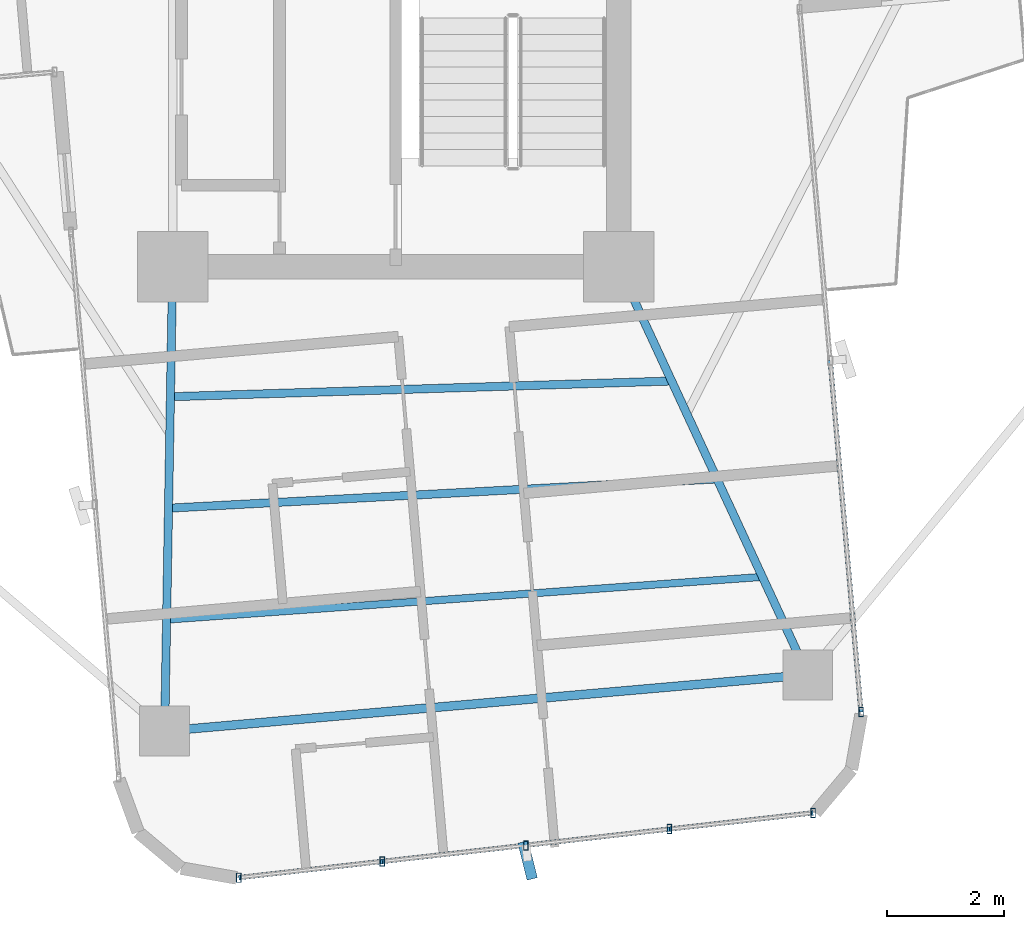
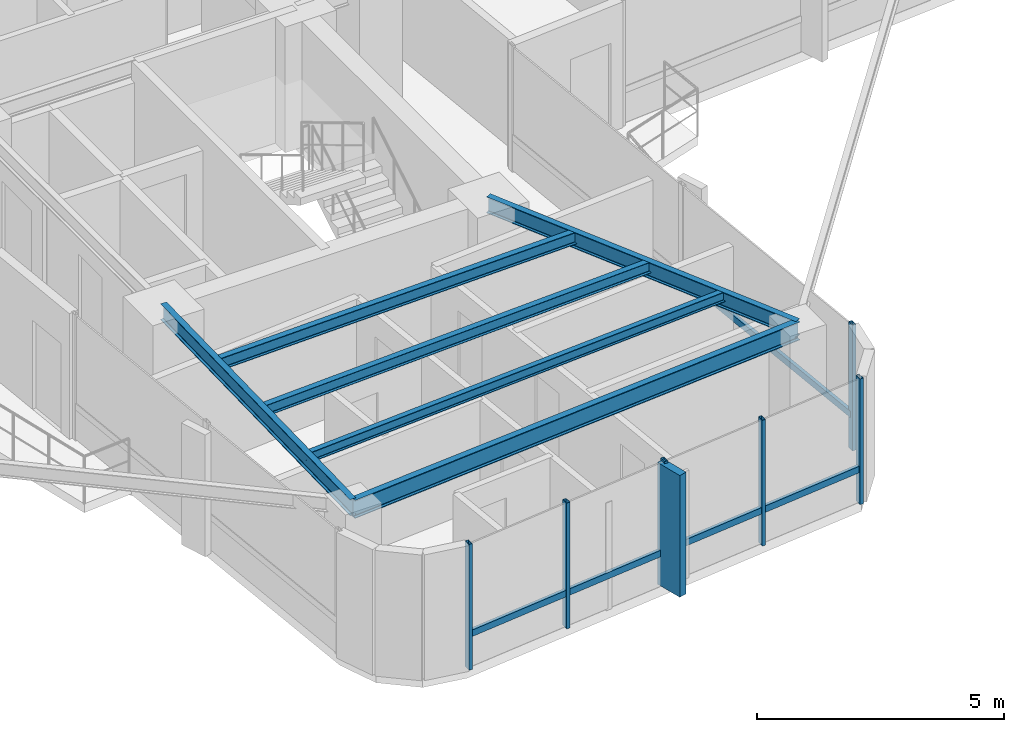
# One storey, part 6 of 24: 12 members, 6 beams, 2 elements without a shape of their own.
"""IFC4 building model written with IfcOpenShell, lengths in metres."""

import ifcopenshell
import ifcopenshell.guid

model = None  # the IFC model being written
_history = None  # IfcOwnerHistory: only IFC2X3 demands one
_inside = {}  # id of a spatial element -> (the spatial element, [elements in it])
_under = {}  # id of a project, library or spatial element -> (it, [spatial elements below it])
_declared = {}  # id of a project -> (the project, [libraries it declares])
_typed = {}  # id of a type object -> (the type object, [elements of that type])
_made_of = {}  # id of a material, layer set ... -> (it, [elements and type objects made of it])


def new_model(schema):
    """Start an empty IFC model of exactly this schema.

    Asked for "IFC4X3", IfcOpenShell would pick the latest addendum, in which some entities
    have other attributes; the version numbers below select the first issue.
    IFC2X3 requires an IfcOwnerHistory on every rooted entity: one is made here for all.
    """
    global model, _history
    if schema == "IFC4X3":
        model = ifcopenshell.file(schema_version=(4, 3, 0, 0))
    else:
        model = ifcopenshell.file(schema=schema)
    _inside.clear()
    _under.clear()
    _declared.clear()
    _typed.clear()
    _made_of.clear()
    _history = None
    if model.schema == "IFC2X3":
        org = make("IfcOrganization", Name="unknown")
        user = make(
            "IfcPersonAndOrganization",
            ThePerson=make("IfcPerson", FamilyName="unknown"),
            TheOrganization=org,
        )
        app = make(
            "IfcApplication",
            ApplicationDeveloper=org,
            Version="unknown",
            ApplicationFullName="unknown",
            ApplicationIdentifier="unknown",
        )
        _history = make(
            "IfcOwnerHistory",
            OwningUser=user,
            OwningApplication=app,
            ChangeAction="ADDED",
            CreationDate=0,
        )
    return model


def make(cls, **values):
    """One entity of the class cls with the attributes given. An attribute that is None is left unset."""
    return model.create_entity(
        cls, **{name: value for name, value in values.items() if value is not None}
    )


def rooted(cls, **values):
    """An entity with a GlobalId (a new one), such as an element, a storey or a relation."""
    return make(cls, GlobalId=ifcopenshell.guid.new(), OwnerHistory=_history, **values)


def si_unit(unit_type, name, prefix=None):
    """IfcSIUnit, for example si_unit("LENGTHUNIT", "METRE", prefix="MILLI")."""
    return make("IfcSIUnit", UnitType=unit_type, Prefix=prefix, Name=name)


def assignment(units):
    """IfcUnitAssignment: the units of a project."""
    return None if units is None else make("IfcUnitAssignment", Units=units)


def point(xyz):
    """IfcCartesianPoint."""
    return None if xyz is None else make("IfcCartesianPoint", Coordinates=xyz)


def direction(xyz):
    """IfcDirection."""
    return None if xyz is None else make("IfcDirection", DirectionRatios=xyz)


def frame(location, z_axis=None, x_axis=None):
    """IfcAxis2Placement3D, a coordinate frame: its origin and axes. An axis left out is left unset."""
    return make(
        "IfcAxis2Placement3D",
        Location=point(location),
        Axis=direction(z_axis),
        RefDirection=direction(x_axis),
    )


def frame_2d(location, x_axis=None):
    """IfcAxis2Placement2D, a coordinate frame in the plane: its origin and x axis."""
    return make(
        "IfcAxis2Placement2D", Location=point(location), RefDirection=direction(x_axis)
    )


def origin():
    """The frame at (0, 0, 0) with its axes left unset."""
    return frame((0.0, 0.0, 0.0))


def origin_2d():
    """The frame at (0, 0) in the plane with its x axis left unset."""
    return frame_2d((0.0, 0.0))


def place(relative_to, where):
    """IfcLocalPlacement: puts the frame where relative to a parent placement (None: the world)."""
    return make(
        "IfcLocalPlacement", PlacementRelTo=relative_to, RelativePlacement=where
    )


def context(
    kind, dimensions, precision=None, world=None, true_north=None, identifier=None
):
    """IfcGeometricRepresentationContext, for example the 3D "Model" context."""
    return make(
        "IfcGeometricRepresentationContext",
        ContextIdentifier=identifier,
        ContextType=kind,
        CoordinateSpaceDimension=dimensions,
        Precision=precision,
        WorldCoordinateSystem=world,
        TrueNorth=true_north,
    )


def subcontext(parent, identifier, kind, view, scale=None):
    """IfcGeometricRepresentationSubContext, for example "Body" below "Model"."""
    return make(
        "IfcGeometricRepresentationSubContext",
        ContextIdentifier=identifier,
        ContextType=kind,
        ParentContext=parent,
        TargetScale=scale,
        TargetView=view,
    )


def project(units=None, contexts=None):
    """IfcProject with its units and contexts."""
    return rooted(
        "IfcProject",
        Name="project",
        RepresentationContexts=contexts,
        UnitsInContext=assignment(units),
    )


def spatial(cls, under=None, at=None, **own):
    """A site, building, storey or space (cls), placed at a placement, below another one or the project."""
    s = rooted(cls, ObjectPlacement=at, **own)
    if under is not None:
        _under.setdefault(under.id(), (under, []))[1].append(s)
    return s


def profile(cls, at=None, kind="AREA", **sizes):
    """A parametric profile (cls). Its sizes go by their IFC names, for example OverallWidth=200.0."""
    return make(cls, ProfileType=kind, Position=at, **sizes)


def rectangle(**sizes):
    """IfcRectangleProfileDef."""
    return profile("IfcRectangleProfileDef", **sizes)


def hollow_rectangle(**sizes):
    """IfcRectangleHollowProfileDef."""
    return profile("IfcRectangleHollowProfileDef", **sizes)


def i_section(**sizes):
    """IfcIShapeProfileDef."""
    return profile("IfcIShapeProfileDef", **sizes)


def extrude(swept, where, along, depth):
    """IfcExtrudedAreaSolid: the profile swept, set in the frame where, extruded along a direction by depth."""
    return make(
        "IfcExtrudedAreaSolid",
        SweptArea=swept,
        Position=where,
        ExtrudedDirection=direction(along),
        Depth=depth,
    )


def shape(context_of_items, identifier, shape_type, items):
    """IfcShapeRepresentation: the items that make up one representation, for example the "Body"."""
    return make(
        "IfcShapeRepresentation",
        ContextOfItems=context_of_items,
        RepresentationIdentifier=identifier,
        RepresentationType=shape_type,
        Items=items,
    )


def source(mapping_origin, context_of_items, identifier, shape_type, items):
    """IfcRepresentationMap: a shape defined once, which mapped items show again and again."""
    return make(
        "IfcRepresentationMap",
        MappingOrigin=mapping_origin,
        MappedRepresentation=shape(context_of_items, identifier, shape_type, items),
    )


def transform(
    local_origin,
    x_axis=None,
    y_axis=None,
    z_axis=None,
    scale=None,
    scale2=None,
    scale3=None,
    uniform=True,
):
    """IfcCartesianTransformationOperator3D, or its non-uniform kind. x_axis, y_axis, z_axis: its Axis1, 2, 3."""
    if uniform:
        return make(
            "IfcCartesianTransformationOperator3D",
            Axis1=direction(x_axis),
            Axis2=direction(y_axis),
            LocalOrigin=point(local_origin),
            Scale=scale,
            Axis3=direction(z_axis),
        )
    return make(
        "IfcCartesianTransformationOperator3DnonUniform",
        Axis1=direction(x_axis),
        Axis2=direction(y_axis),
        LocalOrigin=point(local_origin),
        Scale=scale,
        Axis3=direction(z_axis),
        Scale2=scale2,
        Scale3=scale3,
    )


def mapped(mapping_source, mapping_target):
    """IfcMappedItem: shows the shape of a source again, moved by a transform."""
    return make(
        "IfcMappedItem", MappingSource=mapping_source, MappingTarget=mapping_target
    )


def material(Name=None, Category=None):
    """IfcMaterial."""
    return make("IfcMaterial", Name=Name, Category=Category)


def material_profile(
    of_material, cross_section, Name=None, Category=None, Priority=None
):
    """IfcMaterialProfile: a cross section and its material."""
    return make(
        "IfcMaterialProfile",
        Name=Name,
        Material=of_material,
        Profile=cross_section,
        Priority=Priority,
        Category=Category,
    )


def profile_set(profiles, Name=None, composite=None):
    """IfcMaterialProfileSet."""
    return make(
        "IfcMaterialProfileSet",
        Name=Name,
        MaterialProfiles=profiles,
        CompositeProfile=composite,
    )


def made_of(thing, what):
    """Note that an element or type object is made of a material, layer set ...; save() writes the relation."""
    if what is not None:
        _made_of.setdefault(what.id(), (what, []))[1].append(thing)
    return thing


def type_object(cls, material=None, **own):
    """A type object (cls), such as IfcWallType, which elements share."""
    return made_of(rooted(cls, **own), material)


def element(
    cls,
    number,
    at=None,
    inside=None,
    cuts=None,
    type_object=None,
    material=None,
    context=None,
    identifier="Body",
    shape_type=None,
    held_by="IfcProductDefinitionShape",
    body=None,
    shapes=None,
    **own,
):
    """One element of the class cls, such as IfcWall. Its Tag is "e" and its number.

    at: its placement. inside: the storey or other place that contains it. cuts: it is an
    opening in that element (IfcRelVoidsElement). A single representation is given by context,
    identifier, shape_type and body (its items); several are given by shapes. held_by: the class
    of the entity that holds the representations. save() writes the other relations.
    """
    e = rooted(cls, Tag="e%d" % number, ObjectPlacement=at, **own)
    if body is not None:
        shapes = [shape(context, identifier, shape_type, body)]
    if shapes is not None:
        e.Representation = make(held_by, Representations=shapes)
    if inside is not None:
        _inside.setdefault(inside.id(), (inside, []))[1].append(e)
    if cuts is not None:
        rooted(
            "IfcRelVoidsElement", RelatingBuildingElement=cuts, RelatedOpeningElement=e
        )
    if type_object is not None:
        _typed.setdefault(type_object.id(), (type_object, []))[1].append(e)
    return made_of(e, material)


def aggregate(whole, parts):
    """IfcRelAggregates: a whole, such as a stair, and the parts it consists of."""
    return rooted("IfcRelAggregates", RelatingObject=whole, RelatedObjects=parts)


def save(model, path):
    """Write the relations noted so far, then the file.

    IfcRelAggregates (storeys below a building ...), IfcRelContainedInSpatialStructure (elements
    in a storey), IfcRelDefinesByType, IfcRelAssociatesMaterial and IfcRelDeclares: one each for
    every whole, place, type object, material and project.
    """
    for whole, parts in _under.values():
        aggregate(whole, parts)
    for where, things in _inside.values():
        rooted(
            "IfcRelContainedInSpatialStructure",
            RelatedElements=things,
            RelatingStructure=where,
        )
    for kind, things in _typed.values():
        rooted("IfcRelDefinesByType", RelatedObjects=things, RelatingType=kind)
    for what, things in _made_of.values():
        rooted("IfcRelAssociatesMaterial", RelatedObjects=things, RelatingMaterial=what)
    for by, libraries in _declared.values():
        rooted("IfcRelDeclares", RelatingContext=by, RelatedDefinitions=libraries)
    model.write(path)


model = new_model("IFC4")

# Units and contexts
model_context = context("Model", 3, precision=1e-05, world=origin(), true_north=direction((0.0, 1.0)))
body_context = subcontext(model_context, "Body", "Model", "MODEL_VIEW")
ifc_project = project(units=[si_unit("LENGTHUNIT", "METRE"), si_unit("AREAUNIT", "SQUARE_METRE"), si_unit("VOLUMEUNIT", "CUBIC_METRE"), si_unit("PLANEANGLEUNIT", "RADIAN"), si_unit("MASSUNIT", "GRAM", prefix="KILO")], contexts=[model_context])

# Site, building, storey
site_placement = place(None, origin())
site = spatial("IfcSite", under=ifc_project, at=site_placement, CompositionType="ELEMENT")
building_placement = place(site_placement, origin())
building = spatial("IfcBuilding", under=site, at=building_placement, Name="Sahyath Konkavel Grand Hotel", CompositionType="ELEMENT")
storey_placement = place(building_placement, frame((0.0, 0.0, 175.199951171875)))
storey = spatial("IfcBuildingStorey", under=building, at=storey_placement, Name="L48", CompositionType="ELEMENT", Elevation=175.199951171875)

# Beams
ifc_material_1 = material(Name="Steel E350", Category="steel")
ifc_material_profile_1 = material_profile(ifc_material_1, i_section(OverallWidth=0.139892578125, OverallDepth=0.39990234375, WebThickness=0.0087890625, FlangeThickness=0.01611328125, FilletRadius=0.013916015625, at=origin_2d()), Name="ISMB 400")
ifc_profile_set_1 = profile_set([ifc_material_profile_1], Name="Steel E350")
beam_type_1 = type_object("IfcBeamType", Name="BM-ISMB400", PredefinedType="BEAM", material=ifc_profile_set_1)
shared_shape_1 = source(origin(), body_context, "Body", "SweptSolid", [
    extrude(i_section(OverallWidth=0.139892578125, OverallDepth=0.39990234375, WebThickness=0.0087890625, FlangeThickness=0.01611328125, FilletRadius=0.013916015625, at=origin_2d()), origin(), (0.0, 0.0, 1.0), 7.913330078125),
])
beam_1_placement = place(storey_placement, frame((-3.800048828125, -10.199951171875, 2.91015625), z_axis=(-0.017215419232, -0.999851803689, 0.0), x_axis=(0.999851803689, -0.017215419232, 0.0)))
element("IfcBeam", 1, at=beam_1_placement, inside=storey, type_object=beam_type_1, Name="L48 Cruciform Radial Girder SA", PredefinedType="BEAM", context=body_context, shape_type="MappedRepresentation", body=[
    mapped(shared_shape_1, transform((0.0, 0.0, 0.0), scale=1.0)),
])
shared_shape_2 = source(origin(), body_context, "Body", "SweptSolid", [
    extrude(i_section(OverallWidth=0.139892578125, OverallDepth=0.39990234375, WebThickness=0.0087890625, FlangeThickness=0.01611328125, FilletRadius=0.013916015625, at=origin_2d()), origin(), (0.0, 0.0, 1.0), 7.66357421875),
])
beam_2_placement = place(storey_placement, frame((3.800048828125, -10.199951171875, 2.91015625), z_axis=(0.420395127561, -0.907341135804, 0.0), x_axis=(0.907341135804, 0.420395127561, 0.0)))
element("IfcBeam", 2, at=beam_2_placement, inside=storey, type_object=beam_type_1, Name="L48 Cruciform Radial Girder SB", PredefinedType="BEAM", context=body_context, shape_type="MappedRepresentation", body=[
    mapped(shared_shape_2, transform((0.0, 0.0, 0.0), scale=1.0)),
])
ifc_material_profile_2 = material_profile(ifc_material_1, i_section(OverallWidth=0.14990234375, OverallDepth=0.449951171875, WebThickness=0.009521484375, FlangeThickness=0.017333984375, FilletRadius=0.014892578125, at=origin_2d()), Name="ISMB 450")
ifc_profile_set_2 = profile_set([ifc_material_profile_2], Name="Steel E350")
beam_type_2 = type_object("IfcBeamType", Name="BM-ISMB450", PredefinedType="BEAM", material=ifc_profile_set_2)
shared_shape_3 = source(origin(), body_context, "Body", "SweptSolid", [
    extrude(i_section(OverallWidth=0.14990234375, OverallDepth=0.449951171875, WebThickness=0.009521484375, FlangeThickness=0.017333984375, FilletRadius=0.014892578125, at=origin_2d()), origin(), (0.0, 0.0, 1.0), 10.999755859375),
])
beam_3_placement = place(storey_placement, frame((-3.936279296875, -18.112060546875, 2.885009765625), z_axis=(0.99619439202, 0.087159241098, 0.0), x_axis=(-0.087159241098, 0.99619439202, 0.0)))
element("IfcBeam", 3, at=beam_3_placement, inside=storey, type_object=beam_type_2, Name="L48 Wing Tip Edge Beam S", PredefinedType="BEAM", context=body_context, shape_type="MappedRepresentation", body=[
    mapped(shared_shape_3, transform((0.0, 0.0, 0.0), scale=1.0)),
])
ifc_material_profile_3 = material_profile(ifc_material_1, i_section(OverallWidth=0.139892578125, OverallDepth=0.300048828125, WebThickness=0.0078125, FlangeThickness=0.01318359375, FilletRadius=0.013916015625, at=origin_2d()), Name="ISMB 300")
ifc_profile_set_3 = profile_set([ifc_material_profile_3], Name="Steel E350")
beam_type_3 = type_object("IfcBeamType", Name="BM-ISMB300", PredefinedType="BEAM", material=ifc_profile_set_3)
shared_shape_4 = source(origin(), body_context, "Body", "SweptSolid", [
    extrude(i_section(OverallWidth=0.139892578125, OverallDepth=0.300048828125, WebThickness=0.0078125, FlangeThickness=0.01318359375, FilletRadius=0.013916015625, at=origin_2d()), origin(), (0.0, 0.0, 1.0), 8.54443359375),
])
beam_4_placement = place(storey_placement, frame((-3.838134765625, -12.415283203125, 2.9599609375), z_axis=(0.999506849365, 0.031401561632, 0.0), x_axis=(-0.031401561632, 0.999506849365, 0.0)))
element("IfcBeam", 4, at=beam_4_placement, inside=storey, type_object=beam_type_3, Name="L48 Secondary Floor Beam S-1", PredefinedType="BEAM", context=body_context, shape_type="MappedRepresentation", body=[
    mapped(shared_shape_4, transform((0.0, 0.0, 0.0), scale=1.0)),
])
ifc_material_profile_4 = material_profile(ifc_material_1, i_section(OverallWidth=0.139892578125, OverallDepth=0.27490234375, WebThickness=0.00634765625, FlangeThickness=0.0087890625, FilletRadius=0.012939453125, at=origin_2d()), Name="ISLB 275")
ifc_profile_set_4 = profile_set([ifc_material_profile_4], Name="Steel E350")
beam_type_4 = type_object("IfcBeamType", Name="BM-ISLB275", PredefinedType="BEAM", material=ifc_profile_set_4)
shared_shape_5 = source(origin(), body_context, "Body", "SweptSolid", [
    extrude(i_section(OverallWidth=0.139892578125, OverallDepth=0.27490234375, WebThickness=0.00634765625, FlangeThickness=0.0087890625, FilletRadius=0.012939453125, at=origin_2d()), origin(), (0.0, 0.0, 1.0), 9.359375),
])
beam_5_placement = place(storey_placement, frame((-3.870849609375, -14.314208984375, 2.97265625), z_axis=(0.998580397723, 0.053265272769, 0.0), x_axis=(-0.053265272769, 0.998580397723, 0.0)))
element("IfcBeam", 5, at=beam_5_placement, inside=storey, type_object=beam_type_4, Name="L48 Secondary Floor Beam S-2", PredefinedType="BEAM", context=body_context, shape_type="MappedRepresentation", body=[
    mapped(shared_shape_5, transform((0.0, 0.0, 0.0), scale=1.0)),
])
ifc_material_profile_5 = material_profile(ifc_material_1, i_section(OverallWidth=0.125, OverallDepth=0.25, WebThickness=0.0068359375, FlangeThickness=0.012451171875, FilletRadius=0.012939453125, at=origin_2d()), Name="ISMB 250")
ifc_profile_set_5 = profile_set([ifc_material_profile_5], Name="Steel E350")
beam_type_5 = type_object("IfcBeamType", Name="BM-ISMB250", PredefinedType="BEAM", material=ifc_profile_set_5)
shared_shape_6 = source(origin(), body_context, "Body", "SweptSolid", [
    extrude(i_section(OverallWidth=0.125, OverallDepth=0.25, WebThickness=0.0068359375, FlangeThickness=0.012451171875, FilletRadius=0.012939453125, at=origin_2d()), origin(), (0.0, 0.0, 1.0), 10.178466796875),
])
beam_6_placement = place(storey_placement, frame((-3.90380859375, -16.213134765625, 2.985107421875), z_axis=(0.997435268886, 0.071574327683, 0.0), x_axis=(-0.071574327683, 0.997435268886, 0.0)))
element("IfcBeam", 6, at=beam_6_placement, inside=storey, type_object=beam_type_5, Name="L48 Secondary Floor Beam S-3", PredefinedType="BEAM", context=body_context, shape_type="MappedRepresentation", body=[
    mapped(shared_shape_6, transform((0.0, 0.0, 0.0), scale=1.0)),
])

# Curtain wall, members
ifc_material_2 = material(Name="Anodised Bronze Aluminium & Low-E Glazing", Category="aluminium")
curtain_wall_type = type_object("IfcCurtainWallType", Name="CW-ZONE3", PredefinedType="NOTDEFINED", material=ifc_material_2)
curtain_wall_1_placement = place(storey_placement, origin())
curtain_wall_1 = element("IfcCurtainWall", 7, at=curtain_wall_1_placement, inside=storey, type_object=curtain_wall_type, Name="L48 Unitised Curtain Wall F28", PredefinedType="NOTDEFINED")
ifc_material_3 = material(Name="Warm Buff Sandstone Cladding on Concrete C50/60", Category="masonry")
ifc_material_profile_6 = material_profile(ifc_material_3, rectangle(XDim=0.179931640625, YDim=0.64990234375, at=origin_2d()), Name="FIN 180x650")
ifc_profile_set_6 = profile_set([ifc_material_profile_6], Name="Warm Buff Sandstone Cladding on Concrete C50/60")
member_type_1 = type_object("IfcMemberType", Name="FIN-SANDSTONE-650", PredefinedType="MULLION", material=ifc_profile_set_6)
shared_shape_7 = source(origin(), body_context, "Body", "SweptSolid", [
    extrude(rectangle(XDim=0.179931640625, YDim=0.64990234375, at=origin_2d()), origin(), (0.0, 0.0, 1.0), 3.010009765625),
])
member_1_placement = place(storey_placement, frame((2.248291015625, -20.3173828125, 0.050048828125), z_axis=(0.0, 0.0, 1.0), x_axis=(0.970084240161, 0.242768546132, 0.0)))
member_1 = element("IfcMember", 8, at=member_1_placement, type_object=member_type_1, Name="L48 Sandstone Vertical Solar Fin FIN F28-2", PredefinedType="MULLION", context=body_context, shape_type="MappedRepresentation", body=[
    mapped(shared_shape_7, transform((0.0, 0.0, 0.0), scale=1.0)),
])
ifc_material_4 = material(Name="Anodised Bronze Aluminium", Category="aluminium")
ifc_material_profile_7 = material_profile(ifc_material_4, hollow_rectangle(XDim=0.080078125, YDim=0.159912109375, WallThickness=0.006103515625, at=origin_2d()), Name="RHS 160x80x6")
ifc_profile_set_7 = profile_set([ifc_material_profile_7], Name="Anodised Bronze Aluminium")
member_type_2 = type_object("IfcMemberType", Name="CW-MUL-160", PredefinedType="MULLION", material=ifc_profile_set_7)
shared_shape_8 = source(origin(), body_context, "Body", "SweptSolid", [
    extrude(hollow_rectangle(XDim=0.080078125, YDim=0.159912109375, WallThickness=0.006103515625, at=origin_2d()), origin(), (0.0, 0.0, 1.0), 3.110107421875),
])
member_2_placement = place(storey_placement, frame((-2.673828125, -20.610595703125, 0.0), z_axis=(0.0, 0.0, 1.0), x_axis=(1.0, 0.0, 0.0)))
member_2 = element("IfcMember", 9, at=member_2_placement, type_object=member_type_2, Name="L48 Curtain Wall Mullion F28-0", PredefinedType="MULLION", context=body_context, shape_type="MappedRepresentation", body=[
    mapped(shared_shape_8, transform((0.0, 0.0, 0.0), scale=1.0)),
])
member_3_placement = place(storey_placement, frame((-0.227294921875, -20.334716796875, 0.0), z_axis=(0.0, 0.0, 1.0), x_axis=(1.0, 0.0, 0.0)))
member_3 = element("IfcMember", 10, at=member_3_placement, type_object=member_type_2, Name="L48 Curtain Wall Mullion F28-1", PredefinedType="MULLION", context=body_context, shape_type="MappedRepresentation", body=[
    mapped(shared_shape_8, transform((0.0, 0.0, 0.0), scale=1.0)),
])
member_4_placement = place(storey_placement, frame((2.21923828125, -20.05908203125, 0.0), z_axis=(0.0, 0.0, 1.0), x_axis=(1.0, 0.0, 0.0)))
member_4 = element("IfcMember", 11, at=member_4_placement, type_object=member_type_2, Name="L48 Curtain Wall Mullion F28-2", PredefinedType="MULLION", context=body_context, shape_type="MappedRepresentation", body=[
    mapped(shared_shape_8, transform((0.0, 0.0, 0.0), scale=1.0)),
])
member_5_placement = place(storey_placement, frame((4.665771484375, -19.783203125, 0.0), z_axis=(0.0, 0.0, 1.0), x_axis=(1.0, 0.0, 0.0)))
member_5 = element("IfcMember", 12, at=member_5_placement, type_object=member_type_2, Name="L48 Curtain Wall Mullion F28-3", PredefinedType="MULLION", context=body_context, shape_type="MappedRepresentation", body=[
    mapped(shared_shape_8, transform((0.0, 0.0, 0.0), scale=1.0)),
])
member_6_placement = place(storey_placement, frame((7.1123046875, -19.507568359375, 0.0), z_axis=(0.0, 0.0, 1.0), x_axis=(1.0, 0.0, 0.0)))
member_6 = element("IfcMember", 13, at=member_6_placement, type_object=member_type_2, Name="L48 Curtain Wall Mullion F28-4", PredefinedType="MULLION", context=body_context, shape_type="MappedRepresentation", body=[
    mapped(shared_shape_8, transform((0.0, 0.0, 0.0), scale=1.0)),
])

# Curtain wall, member
curtain_wall_2_placement = place(storey_placement, origin())
curtain_wall_2 = element("IfcCurtainWall", 14, at=curtain_wall_2_placement, inside=storey, type_object=curtain_wall_type, Name="L48 Unitised Curtain Wall F31", PredefinedType="NOTDEFINED")
member_7_placement = place(storey_placement, frame((7.930419921875, -17.78662109375, 0.0), z_axis=(0.0, 0.0, 1.0), x_axis=(1.0, 0.0, 0.0)))
member_7 = element("IfcMember", 15, at=member_7_placement, type_object=member_type_2, Name="L48 Curtain Wall Mullion F31-0", PredefinedType="MULLION", context=body_context, shape_type="MappedRepresentation", body=[
    mapped(shared_shape_8, transform((0.0, 0.0, 0.0), scale=1.0)),
])

# Member
ifc_material_profile_8 = material_profile(ifc_material_4, hollow_rectangle(XDim=0.080078125, YDim=0.159912109375, WallThickness=0.006103515625, at=origin_2d()), Name="RHS 160x80x6")
ifc_profile_set_8 = profile_set([ifc_material_profile_8], Name="Anodised Bronze Aluminium")
member_type_3 = type_object("IfcMemberType", Name="CW-TRN-160", PredefinedType="USERDEFINED", material=ifc_profile_set_8)
shared_shape_9 = source(origin(), body_context, "Body", "SweptSolid", [
    extrude(hollow_rectangle(XDim=0.080078125, YDim=0.159912109375, WallThickness=0.006103515625, at=origin_2d()), origin(), (0.0, 0.0, 1.0), 2.462158203125),
])
member_8_placement = place(storey_placement, frame((-2.673828125, -20.610595703125, 0.85009765625), z_axis=(0.99370222711, 0.112053040279, 0.0), x_axis=(-0.112053040279, 0.99370222711, 0.0)))
member_8 = element("IfcMember", 16, at=member_8_placement, type_object=member_type_3, Name="L48 Curtain Wall Transom F28-0-spandrel", ObjectType="TRANSOM", PredefinedType="USERDEFINED", context=body_context, shape_type="MappedRepresentation", body=[
    mapped(shared_shape_9, transform((0.0, 0.0, 0.0), scale=1.0)),
])

member_9_placement = place(storey_placement, frame((2.21923828125, -20.05908203125, 0.85009765625), z_axis=(0.99370222711, 0.112053040279, 0.0), x_axis=(-0.112053040279, 0.99370222711, 0.0)))
member_9 = element("IfcMember", 17, at=member_9_placement, type_object=member_type_3, Name="L48 Curtain Wall Transom F28-2-spandrel", ObjectType="TRANSOM", PredefinedType="USERDEFINED", context=body_context, shape_type="MappedRepresentation", body=[
    mapped(shared_shape_9, transform((0.0, 0.0, 0.0), scale=1.0)),
])

shared_shape_10 = source(origin(), body_context, "Body", "SweptSolid", [
    extrude(hollow_rectangle(XDim=0.080078125, YDim=0.159912109375, WallThickness=0.006103515625, at=origin_2d()), origin(), (0.0, 0.0, 1.0), 2.4619140625),
])
member_10_placement = place(storey_placement, frame((-0.227294921875, -20.334716796875, 0.85009765625), z_axis=(0.993713263833, 0.111955121731, 0.0), x_axis=(-0.111955121731, 0.993713263833, 0.0)))
member_10 = element("IfcMember", 18, at=member_10_placement, type_object=member_type_3, Name="L48 Curtain Wall Transom F28-1-spandrel", ObjectType="TRANSOM", PredefinedType="USERDEFINED", context=body_context, shape_type="MappedRepresentation", body=[
    mapped(shared_shape_10, transform((0.0, 0.0, 0.0), scale=1.0)),
])

member_11_placement = place(storey_placement, frame((4.665771484375, -19.783203125, 0.85009765625), z_axis=(0.993713263833, 0.111955121731, 0.0), x_axis=(-0.111955121731, 0.993713263833, 0.0)))
member_11 = element("IfcMember", 19, at=member_11_placement, type_object=member_type_3, Name="L48 Curtain Wall Transom F28-3-spandrel", ObjectType="TRANSOM", PredefinedType="USERDEFINED", context=body_context, shape_type="MappedRepresentation", body=[
    mapped(shared_shape_10, transform((0.0, 0.0, 0.0), scale=1.0)),
])

aggregate(curtain_wall_1, [member_2, member_3, member_4, member_1, member_5, member_6, member_8, member_10, member_9, member_11])

shared_shape_11 = source(origin(), body_context, "Body", "SweptSolid", [
    extrude(hollow_rectangle(XDim=0.080078125, YDim=0.159912109375, WallThickness=0.006103515625, at=origin_2d()), origin(), (0.0, 0.0, 1.0), 6.01025390625),
])
member_12_placement = place(storey_placement, frame((7.930419921875, -17.78662109375, 0.85009765625), z_axis=(-0.087172997156, 0.996193188376, 0.0), x_axis=(-0.996193188376, -0.087172997156, 0.0)))
member_12 = element("IfcMember", 20, at=member_12_placement, type_object=member_type_3, Name="L48 Curtain Wall Transom F31-0-spandrel", ObjectType="TRANSOM", PredefinedType="USERDEFINED", context=body_context, shape_type="MappedRepresentation", body=[
    mapped(shared_shape_11, transform((0.0, 0.0, 0.0), scale=1.0)),
])

aggregate(curtain_wall_2, [member_7, member_12])

save(model, "model.ifc")
